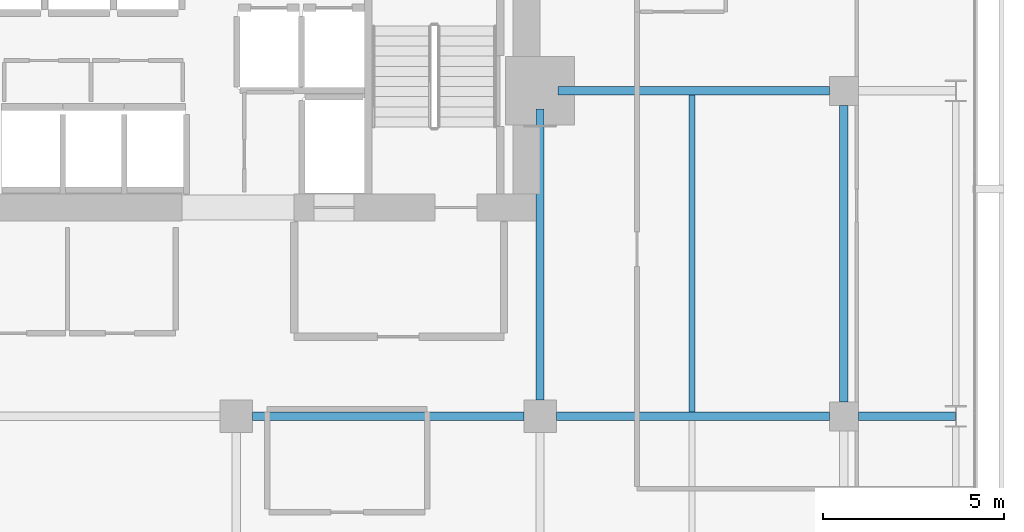
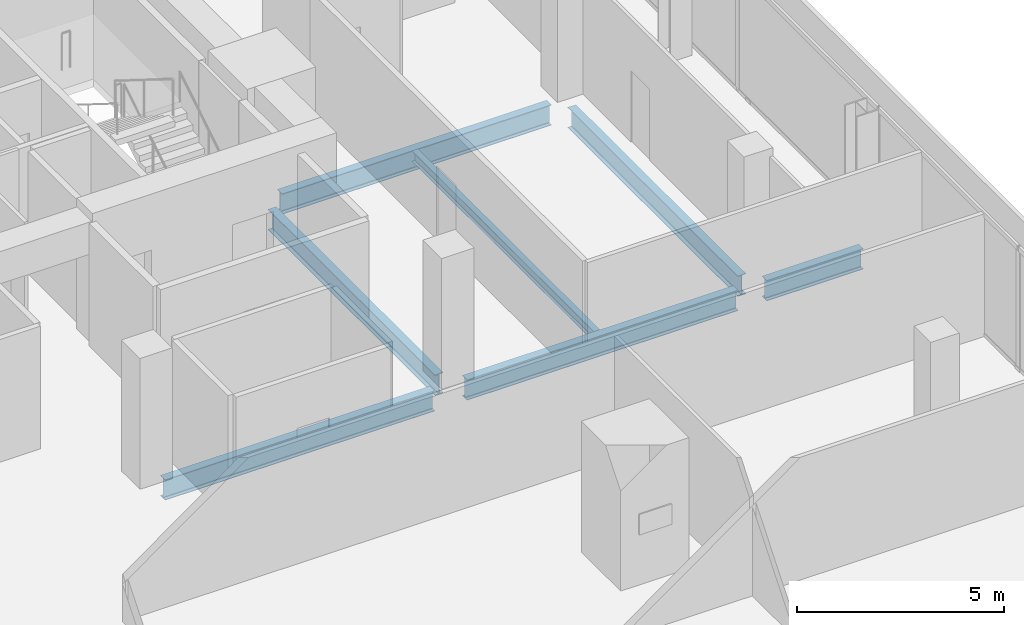
# One storey, part 23 of 33: 7 beams.
"""IFC4 building model written with IfcOpenShell, lengths in metres."""

from ifc_helpers import new_model, si_unit, direction, frame, origin, origin_2d, place, context, subcontext, project, spatial, i_section, extrude, material, material_profile, profile_set, type_object, element, save


model = new_model("IFC4")

# Units and contexts
model_context = context("Model", 3, precision=1e-05, world=origin(), true_north=direction((0.0, 1.0)))
body_context = subcontext(model_context, "Body", "Model", "MODEL_VIEW")
ifc_project = project(units=[si_unit("LENGTHUNIT", "METRE"), si_unit("AREAUNIT", "SQUARE_METRE"), si_unit("VOLUMEUNIT", "CUBIC_METRE"), si_unit("PLANEANGLEUNIT", "RADIAN"), si_unit("MASSUNIT", "GRAM", prefix="KILO")], contexts=[model_context])

# Site, building, storey
site_placement = place(None, origin())
site = spatial("IfcSite", under=ifc_project, at=site_placement, CompositionType="ELEMENT")
building_placement = place(site_placement, origin())
building = spatial("IfcBuilding", under=site, at=building_placement, Name="Maruvema Waterfront Hotel and Observation Tower", CompositionType="ELEMENT")
storey_placement = place(building_placement, frame((0.0, 0.0, 169.75)))
storey = spatial("IfcBuildingStorey", under=building, at=storey_placement, Name="L41", CompositionType="ELEMENT", Elevation=169.75)

# Beams
ifc_material_1 = material(Name="Steel ASTM A572 Grade 50", Category="steel")
ifc_material_profile_1 = material_profile(ifc_material_1, i_section(OverallWidth=0.22802734375, OverallDepth=0.60302734375, WebThickness=0.010498046875, FlangeThickness=0.014892578125, FilletRadius=0.01806640625, at=origin_2d()), Name="W610x101.0")
ifc_profile_set_1 = profile_set([ifc_material_profile_1], Name="Steel ASTM A572 Grade 50")
beam_type_1 = type_object("IfcBeamType", Name="Primary Floor Girder W610x101.0", PredefinedType="BEAM", material=ifc_profile_set_1)
beam_1_placement = place(storey_placement, frame((42.449951171875, 36.0, -0.54150390625), z_axis=(1.0, 0.0, 0.0), x_axis=(0.0, 1.0, 0.0)))
element("IfcBeam", 1, at=beam_1_placement, inside=storey, type_object=beam_type_1, Name="L41 Floor Girder EW-27", PredefinedType="BEAM", context=body_context, shape_type="SweptSolid", body=[
    extrude(i_section(OverallWidth=0.22802734375, OverallDepth=0.60302734375, WebThickness=0.010498046875, FlangeThickness=0.014892578125, FilletRadius=0.01806640625, at=origin_2d()), origin(), (0.0, 0.0, 1.0), 7.5),
])
beam_2_placement = place(storey_placement, frame((50.85009765625, 36.0, -0.54150390625), z_axis=(1.0, 0.0, 0.0), x_axis=(0.0, 1.0, 0.0)))
element("IfcBeam", 2, at=beam_2_placement, inside=storey, type_object=beam_type_1, Name="L41 Floor Girder EW-28", PredefinedType="BEAM", context=body_context, shape_type="SweptSolid", body=[
    extrude(i_section(OverallWidth=0.22802734375, OverallDepth=0.60302734375, WebThickness=0.010498046875, FlangeThickness=0.014892578125, FilletRadius=0.01806640625, at=origin_2d()), origin(), (0.0, 0.0, 1.0), 7.5498046875),
])
beam_3_placement = place(storey_placement, frame((59.199951171875, 36.0, -0.54150390625), z_axis=(1.0, 0.0, 0.0), x_axis=(0.0, 1.0, 0.0)))
element("IfcBeam", 3, at=beam_3_placement, inside=storey, type_object=beam_type_1, Name="L41 Floor Girder EW-29", PredefinedType="BEAM", context=body_context, shape_type="SweptSolid", body=[
    extrude(i_section(OverallWidth=0.22802734375, OverallDepth=0.60302734375, WebThickness=0.010498046875, FlangeThickness=0.014892578125, FilletRadius=0.01806640625, at=origin_2d()), origin(), (0.0, 0.0, 1.0), 2.6875),
])
beam_4_placement = place(storey_placement, frame((50.89990234375, 45.0, -0.54150390625), z_axis=(1.0, 0.0, 0.0), x_axis=(0.0, 1.0, 0.0)))
element("IfcBeam", 4, at=beam_4_placement, inside=storey, type_object=beam_type_1, Name="L41 Floor Girder EW-32", PredefinedType="BEAM", context=body_context, shape_type="SweptSolid", body=[
    extrude(i_section(OverallWidth=0.22802734375, OverallDepth=0.60302734375, WebThickness=0.010498046875, FlangeThickness=0.014892578125, FilletRadius=0.01806640625, at=origin_2d()), origin(), (0.0, 0.0, 1.0), 7.5),
])
beam_5_placement = place(storey_placement, frame((50.39990234375, 36.449951171875, -0.54150390625), z_axis=(0.0, 1.0, 0.0), x_axis=(-1.0, 0.0, 0.0)))
element("IfcBeam", 5, at=beam_5_placement, inside=storey, type_object=beam_type_1, Name="L41 Floor Girder NS-24", PredefinedType="BEAM", context=body_context, shape_type="SweptSolid", body=[
    extrude(i_section(OverallWidth=0.22802734375, OverallDepth=0.60302734375, WebThickness=0.010498046875, FlangeThickness=0.014892578125, FilletRadius=0.01806640625, at=origin_2d()), origin(), (0.0, 0.0, 1.0), 8.050048828125),
])
beam_6_placement = place(storey_placement, frame((58.800048828125, 36.39990234375, -0.54150390625), z_axis=(0.0, 1.0, 0.0), x_axis=(-1.0, 0.0, 0.0)))
element("IfcBeam", 6, at=beam_6_placement, inside=storey, type_object=beam_type_1, Name="L41 Floor Girder NS-28", PredefinedType="BEAM", context=body_context, shape_type="SweptSolid", body=[
    extrude(i_section(OverallWidth=0.22802734375, OverallDepth=0.60302734375, WebThickness=0.010498046875, FlangeThickness=0.014892578125, FilletRadius=0.01806640625, at=origin_2d()), origin(), (0.0, 0.0, 1.0), 8.2001953125),
])
ifc_material_2 = material(Name="Steel ASTM A572 Grade 50", Category="steel")
ifc_material_profile_2 = material_profile(ifc_material_2, i_section(OverallWidth=0.1650390625, OverallDepth=0.31005859375, WebThickness=0.005859375, FlangeThickness=0.009765625, FilletRadius=0.012939453125, at=origin_2d()), Name="W310x38.7")
ifc_profile_set_2 = profile_set([ifc_material_profile_2], Name="Steel ASTM A572 Grade 50")
beam_type_2 = type_object("IfcBeamType", Name="Secondary Floor Joist W310x38.7", PredefinedType="JOIST", material=ifc_profile_set_2)
beam_7_placement = place(storey_placement, frame((54.60009765625, 36.114013671875, -0.39501953125), z_axis=(0.0, 1.0, 0.0), x_axis=(-1.0, 0.0, 0.0)))
element("IfcBeam", 7, at=beam_7_placement, inside=storey, type_object=beam_type_2, Name="L41 Secondary Floor Joist JS-14", PredefinedType="JOIST", context=body_context, shape_type="SweptSolid", body=[
    extrude(i_section(OverallWidth=0.1650390625, OverallDepth=0.31005859375, WebThickness=0.005859375, FlangeThickness=0.009765625, FilletRadius=0.012939453125, at=origin_2d()), origin(), (0.0, 0.0, 1.0), 8.77197265625),
])

save(model, "model.ifc")
